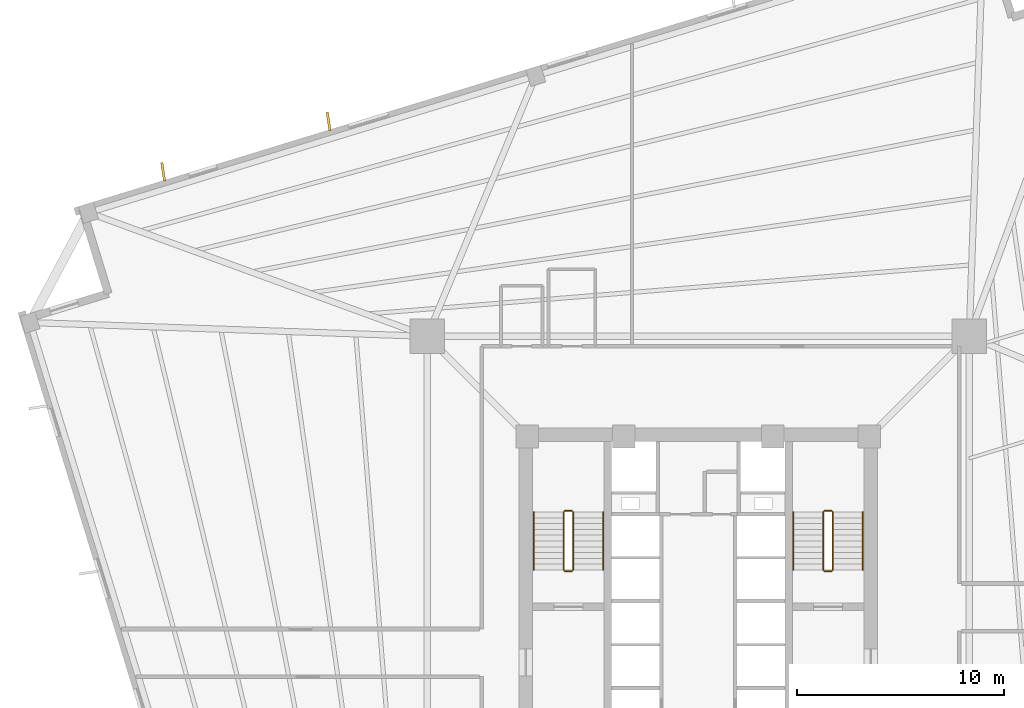
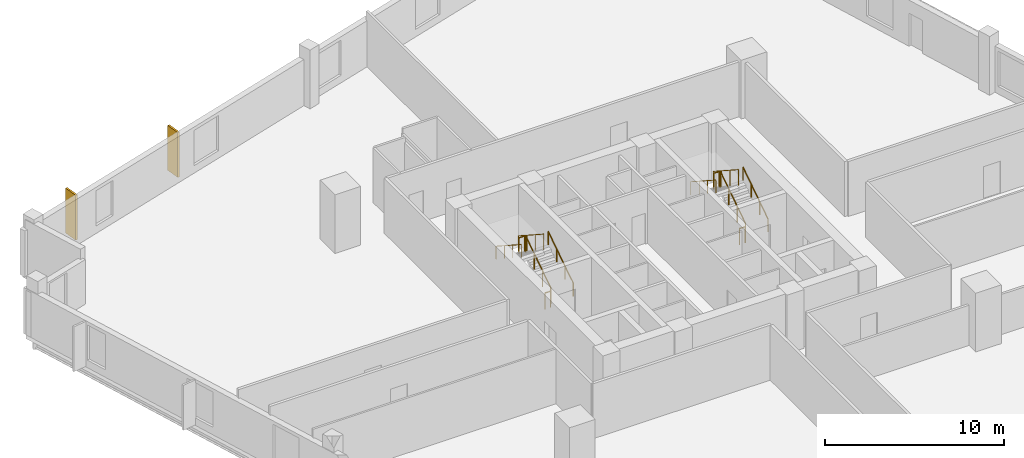
# One storey, part 8 of 9: 12 railings, 2 coverings.
"""IFC4 building model written with IfcOpenShell, lengths in metres."""

from ifc_helpers import new_model, si_unit, direction, frame, origin, origin_2d, place, context, subcontext, project, spatial, rectangle, circle, extrude, source, transform, mapped, material, layer, layer_set, type_object, element, save


model = new_model("IFC4")

# Units and contexts
model_context = context("Model", 3, precision=1e-05, world=origin(), true_north=direction((0.0, 1.0)))
body_context = subcontext(model_context, "Body", "Model", "MODEL_VIEW")
ifc_project = project(units=[si_unit("LENGTHUNIT", "METRE"), si_unit("AREAUNIT", "SQUARE_METRE"), si_unit("VOLUMEUNIT", "CUBIC_METRE"), si_unit("PLANEANGLEUNIT", "RADIAN"), si_unit("MASSUNIT", "GRAM", prefix="KILO"), si_unit("THERMODYNAMICTEMPERATUREUNIT", "KELVIN")], contexts=[model_context])

# Site, building, storey
site_placement = place(None, origin())
site = spatial("IfcSite", under=ifc_project, at=site_placement, CompositionType="ELEMENT")
building_placement = place(site_placement, origin())
building = spatial("IfcBuilding", under=site, at=building_placement, Name="Kosmvard Interchange Tower", CompositionType="ELEMENT")
storey_placement = place(building_placement, frame((0.0, 0.0, 95.199951171875)))
storey = spatial("IfcBuildingStorey", under=building, at=storey_placement, Name="L22", CompositionType="ELEMENT", Elevation=95.199951171875)

# Coverings
ifc_material_1 = material(Name="Architectural anodised aluminium", Category="aluminium")
ifc_layer = layer(ifc_material_1, 0.1201171875, Name="Architectural anodised aluminium")
ifc_layer_set = layer_set([ifc_layer], Name="Architectural anodised aluminium")
covering_type = type_object("IfcCoveringType", Name="Rotating Vertical Sun-Breaker Fin 900x120 Aluminium", PredefinedType="CLADDING", material=ifc_layer_set)
shared_shape_1 = source(origin(), body_context, "Body", "SweptSolid", [
    extrude(rectangle(XDim=0.89990234375, YDim=0.1201171875, at=origin_2d()), origin(), (0.0, 0.0, 1.0), 3.06005859375),
])
for number, where, z_axis, x_axis, name in (
    (1, (-17.841796875, 23.45849609375, 0.0400390625), (0.0, 0.0, 1.0), (-0.150570684524, 0.988599245884, 0.0), "L22 Rotating Vertical Sun-Breaker Fin 11"),
    (2, (-25.825439453125, 21.017822265625, 0.0400390625), (0.0, 0.0, 1.0), (-0.150570684524, 0.988599245884, 0.0), "L22 Rotating Vertical Sun-Breaker Fin 12"),
):
    element("IfcCovering", number, at=place(storey_placement, frame(where, z_axis=z_axis, x_axis=x_axis)), inside=storey, type_object=covering_type, Name=name, PredefinedType="CLADDING", context=body_context, shape_type="MappedRepresentation", body=[
        mapped(shared_shape_1, transform((0.0, 0.0, 0.0), scale=1.0)),
    ])

# Railings
ifc_material_2 = material(Name="Steel S355", Category="steel")
railing_type_1 = type_object("IfcRailingType", Name="Stair & Terrace Safety Guardrail 1100 Steel", PredefinedType="GUARDRAIL", material=ifc_material_2)
shared_shape_2 = source(origin(), body_context, "Body", "SweptSolid", [
    extrude(circle(Radius=0.02392578125, at=origin_2d()), frame((0.0, 0.0, 1.076171875), z_axis=(-1.0, 0.0, 0.0), x_axis=(0.0, -1.0, 0.0)), (0.0, 0.0, 1.0), 0.35986328125),
    extrude(circle(Radius=0.02099609375, at=origin_2d()), origin(), (0.0, 0.0, 1.0), 1.052001953125),
    extrude(circle(Radius=0.02099609375, at=origin_2d()), frame((-0.35986328125, 0.0, 0.0)), (0.0, 0.0, 1.0), 1.052001953125),
])
for number, where, name in (
    (3, (-6.090087890625, 4.64990234375, 2.0), "L22 ST-1 stair guard 2"),
    (4, (-6.090087890625, 1.75, 0.0), "L22 ST-1 stair guard 4"),
    (5, (6.449951171875, 4.64990234375, 2.0), "L22 ST-2 stair guard 2"),
    (6, (6.449951171875, 1.75, 0.0), "L22 ST-2 stair guard 4"),
):
    element("IfcRailing", number, at=place(storey_placement, frame(where)), inside=storey, type_object=railing_type_1, Name=name, PredefinedType="GUARDRAIL", context=body_context, shape_type="MappedRepresentation", body=[
        mapped(shared_shape_2, transform((0.0, 0.0, 0.0), scale=1.0)),
    ])
shared_shape_3 = source(origin(), body_context, "Body", "SweptSolid", [
    extrude(circle(Radius=0.02392578125, at=origin_2d()), frame((0.0, 0.0, 1.076171875), z_axis=(0.0, 0.838705829183, 0.544584733623), x_axis=(-1.0, 0.0, 0.0)), (0.0, 0.0, 1.0), 3.338623046875),
    extrude(circle(Radius=0.02099609375, at=origin_2d()), origin(), (0.0, 0.0, 1.0), 1.052001953125),
    extrude(circle(Radius=0.02099609375, at=origin_2d()), frame((0.0, 0.933349609375, 0.60595703125)), (0.0, 0.0, 1.0), 1.052001953125),
    extrude(circle(Radius=0.02099609375, at=origin_2d()), frame((0.0, 1.86669921875, 1.212158203125)), (0.0, 0.0, 1.0), 1.052001953125),
    extrude(circle(Radius=0.02099609375, at=origin_2d()), frame((0.0, 2.800048828125, 1.818115234375)), (0.0, 0.0, 1.0), 1.052001953125),
])
for number, where, name in (
    (7, (-6.0400390625, 1.800048828125, 0.181884765625), "L22 ST-1 stair guard 1"),
    (8, (6.5, 1.800048828125, 0.181884765625), "L22 ST-2 stair guard 1"),
):
    element("IfcRailing", number, at=place(storey_placement, frame(where)), inside=storey, type_object=railing_type_1, Name=name, PredefinedType="GUARDRAIL", context=body_context, shape_type="MappedRepresentation", body=[
        mapped(shared_shape_3, transform((0.0, 0.0, 0.0), scale=1.0)),
    ])
shared_shape_4 = source(origin(), body_context, "Body", "SweptSolid", [
    extrude(circle(Radius=0.02392578125, at=origin_2d()), frame((0.0, 0.0, 1.076171875), z_axis=(0.0, -0.838705829183, 0.544584733623), x_axis=(1.0, 0.0, 0.0)), (0.0, 0.0, 1.0), 3.338623046875),
    extrude(circle(Radius=0.02099609375, at=origin_2d()), origin(), (0.0, 0.0, 1.0), 1.052001953125),
    extrude(circle(Radius=0.02099609375, at=origin_2d()), frame((0.0, -0.933349609375, 0.60595703125)), (0.0, 0.0, 1.0), 1.052001953125),
    extrude(circle(Radius=0.02099609375, at=origin_2d()), frame((0.0, -1.86669921875, 1.212158203125)), (0.0, 0.0, 1.0), 1.052001953125),
    extrude(circle(Radius=0.02099609375, at=origin_2d()), frame((0.0, -2.800048828125, 1.818115234375)), (0.0, 0.0, 1.0), 1.052001953125),
])
for number, where, name in (
    (9, (-6.5, 4.60009765625, 2.181884765625), "L22 ST-1 stair guard 3"),
    (10, (6.0400390625, 4.60009765625, 2.181884765625), "L22 ST-2 stair guard 3"),
):
    element("IfcRailing", number, at=place(storey_placement, frame(where)), inside=storey, type_object=railing_type_1, Name=name, PredefinedType="GUARDRAIL", context=body_context, shape_type="MappedRepresentation", body=[
        mapped(shared_shape_4, transform((0.0, 0.0, 0.0), scale=1.0)),
    ])
railing_type_2 = type_object("IfcRailingType", Name="Wall-Mounted Stair Handrail 900 Steel", PredefinedType="HANDRAIL", material=ifc_material_2)
shared_shape_5 = source(origin(), body_context, "Body", "SweptSolid", [
    extrude(circle(Radius=0.02392578125, at=origin_2d()), frame((0.0, 0.0, 0.8759765625), z_axis=(0.0, 0.838705829183, 0.544584733623), x_axis=(-1.0, 0.0, 0.0)), (0.0, 0.0, 1.0), 3.338623046875),
    extrude(circle(Radius=0.02099609375, at=origin_2d()), origin(), (0.0, 0.0, 1.0), 0.851806640625),
    extrude(circle(Radius=0.02099609375, at=origin_2d()), frame((0.0, 0.933349609375, 0.60595703125)), (0.0, 0.0, 1.0), 0.851806640625),
    extrude(circle(Radius=0.02099609375, at=origin_2d()), frame((0.0, 1.86669921875, 1.212158203125)), (0.0, 0.0, 1.0), 0.851806640625),
    extrude(circle(Radius=0.02099609375, at=origin_2d()), frame((0.0, 2.800048828125, 1.818115234375)), (0.0, 0.0, 1.0), 0.851806640625),
])
for number, where, name in (
    (11, (-4.590087890625, 1.800048828125, 0.181884765625), "L22 ST-1 stair handrail 1"),
    (12, (7.949951171875, 1.800048828125, 0.181884765625), "L22 ST-2 stair handrail 1"),
):
    element("IfcRailing", number, at=place(storey_placement, frame(where)), inside=storey, type_object=railing_type_2, Name=name, PredefinedType="HANDRAIL", context=body_context, shape_type="MappedRepresentation", body=[
        mapped(shared_shape_5, transform((0.0, 0.0, 0.0), scale=1.0)),
    ])
shared_shape_6 = source(origin(), body_context, "Body", "SweptSolid", [
    extrude(circle(Radius=0.02392578125, at=origin_2d()), frame((0.0, 0.0, 0.8759765625), z_axis=(0.0, -0.838705829183, 0.544584733623), x_axis=(1.0, 0.0, 0.0)), (0.0, 0.0, 1.0), 3.338623046875),
    extrude(circle(Radius=0.02099609375, at=origin_2d()), origin(), (0.0, 0.0, 1.0), 0.851806640625),
    extrude(circle(Radius=0.02099609375, at=origin_2d()), frame((0.0, -0.933349609375, 0.60595703125)), (0.0, 0.0, 1.0), 0.851806640625),
    extrude(circle(Radius=0.02099609375, at=origin_2d()), frame((0.0, -1.86669921875, 1.212158203125)), (0.0, 0.0, 1.0), 0.851806640625),
    extrude(circle(Radius=0.02099609375, at=origin_2d()), frame((0.0, -2.800048828125, 1.818115234375)), (0.0, 0.0, 1.0), 0.851806640625),
])
for number, where, name in (
    (13, (-7.949951171875, 4.60009765625, 2.181884765625), "L22 ST-1 stair handrail 2"),
    (14, (4.590087890625, 4.60009765625, 2.181884765625), "L22 ST-2 stair handrail 2"),
):
    element("IfcRailing", number, at=place(storey_placement, frame(where)), inside=storey, type_object=railing_type_2, Name=name, PredefinedType="HANDRAIL", context=body_context, shape_type="MappedRepresentation", body=[
        mapped(shared_shape_6, transform((0.0, 0.0, 0.0), scale=1.0)),
    ])

save(model, "model.ifc")
